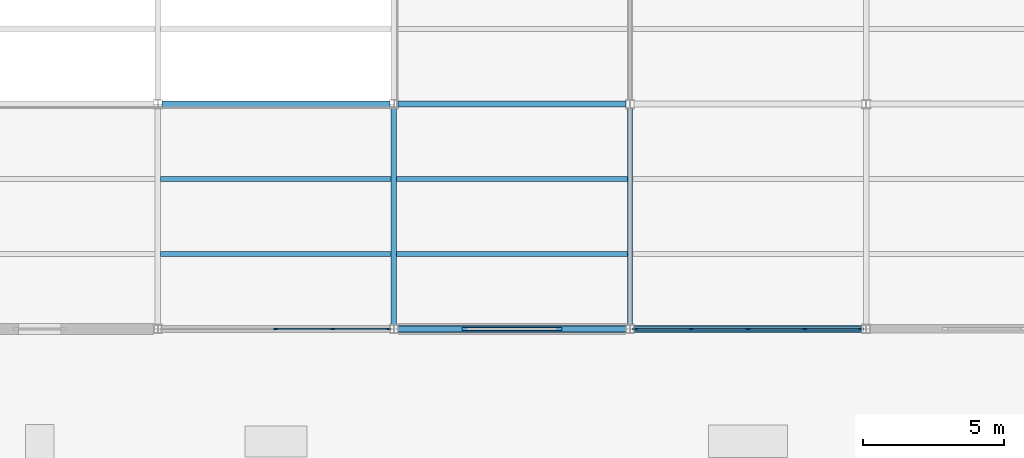
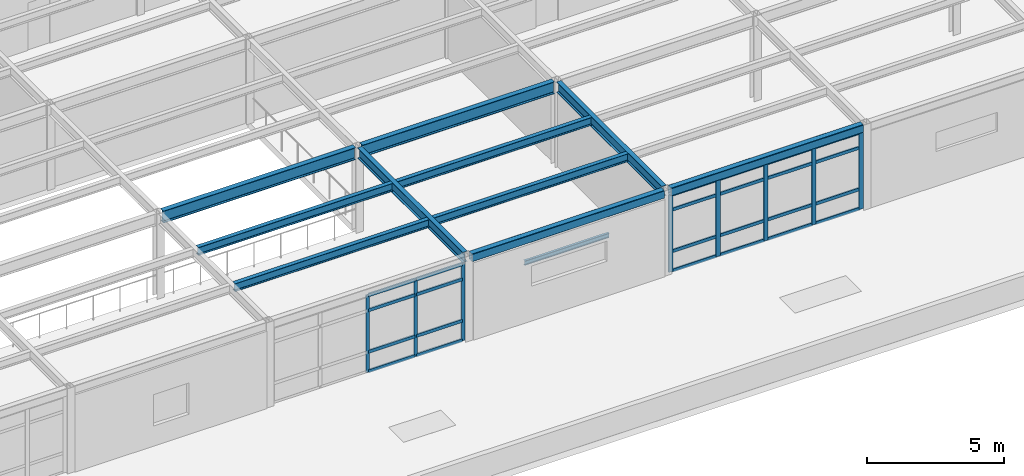
# One storey, part 32 of 138: 32 members, 11 beams, 2 elements without a shape of their own.
"""IFC4 building model written with IfcOpenShell, lengths in metres."""

from ifc_helpers import new_model, si_unit, direction, frame, origin, origin_2d, place, context, subcontext, project, spatial, rectangle, hollow_rectangle, i_section, extrude, material, layer, layer_set, material_profile, profile_set, type_object, element, aggregate, save


model = new_model("IFC4")

# Units and contexts
model_context = context("Model", 3, precision=1e-05, world=origin(), true_north=direction((0.0, 1.0)))
body_context = subcontext(model_context, "Body", "Model", "MODEL_VIEW")
ifc_project = project(units=[si_unit("LENGTHUNIT", "METRE"), si_unit("AREAUNIT", "SQUARE_METRE"), si_unit("VOLUMEUNIT", "CUBIC_METRE"), si_unit("PLANEANGLEUNIT", "RADIAN"), si_unit("MASSUNIT", "GRAM", prefix="KILO")], contexts=[model_context])

# Site, building, storey
site_placement = place(None, origin())
site = spatial("IfcSite", under=ifc_project, at=site_placement, CompositionType="ELEMENT")
building_placement = place(site_placement, origin())
building = spatial("IfcBuilding", under=site, at=building_placement, Name="Kranzveld Transit Interchange", CompositionType="ELEMENT")
storey_placement = place(building_placement, frame((0.0, 0.0, 5.43994140625)))
storey = spatial("IfcBuildingStorey", under=building, at=storey_placement, Name="L01", CompositionType="ELEMENT", Elevation=5.43994140625)

# Beams
ifc_material_1 = material(Name="Steel S355JR", Category="steel")
ifc_material_profile_1 = material_profile(ifc_material_1, i_section(OverallWidth=0.19189453125, OverallDepth=0.46337890625, WebThickness=0.010498046875, FlangeThickness=0.017578125, FilletRadius=0.01025390625, at=origin_2d()), Name="UB 457x191x89")
ifc_profile_set_1 = profile_set([ifc_material_profile_1], Name="Steel S355JR")
beam_type_1 = type_object("IfcBeamType", Name="Beam Steel UB 457x191x89 S355JR", PredefinedType="BEAM", material=ifc_profile_set_1)
for number, where, z_axis, x_axis, name in (
    (1, (100.800048828125, 8.150146484375, 3.568359375), (0.0, 1.0, 0.0), (-1.0, 0.0, 0.0), "L01 Girder 13/B-C"),
    (2, (109.199951171875, 8.150146484375, 3.568359375), (0.0, 1.0, 0.0), (-1.0, 0.0, 0.0), "L01 Girder 14/B-C"),
):
    element("IfcBeam", number, at=place(storey_placement, frame(where, z_axis=z_axis, x_axis=x_axis)), inside=storey, type_object=beam_type_1, Name=name, PredefinedType="BEAM", context=body_context, shape_type="SweptSolid", body=[
        extrude(i_section(OverallWidth=0.19189453125, OverallDepth=0.46337890625, WebThickness=0.010498046875, FlangeThickness=0.017578125, FilletRadius=0.01025390625, at=origin_2d()), origin(), (0.0, 0.0, 1.0), 7.69970703125),
    ])

# Curtain wall, members
ifc_material_2 = material(Name="Bronze-anodised thermally broken aluminium", Category="aluminium")
ifc_layer_1 = layer(ifc_material_2, 0.159912109375)
ifc_layer_set_1 = layer_set([ifc_layer_1], Name="Bronze-anodised thermally broken aluminium")
curtain_wall_type_1 = type_object("IfcCurtainWallType", Name="Bus Boarding Glazed Screen CW-3", PredefinedType="USERDEFINED", material=ifc_layer_set_1)
curtain_wall_1_placement = place(storey_placement, origin())
curtain_wall_1 = element("IfcCurtainWall", 3, at=curtain_wall_1_placement, inside=storey, type_object=curtain_wall_type_1, Name="L01 Curtain Wall 12/B-13/B", ObjectType="CURTAIN WALL", PredefinedType="USERDEFINED")
ifc_material_3 = material(Name="Bronze-anodised thermally broken aluminium", Category="aluminium")
ifc_material_profile_2 = material_profile(ifc_material_3, rectangle(XDim=0.06005859375, YDim=0.14990234375, at=origin_2d()), Name="ALU MULLION 60x150")
ifc_profile_set_2 = profile_set([ifc_material_profile_2], Name="Bronze-anodised thermally broken aluminium")
member_type_1 = type_object("IfcMemberType", Name="Curtain Wall Mullion 60x150 Alu", PredefinedType="MULLION", material=ifc_profile_set_2)
member_1_placement = place(storey_placement, frame((96.60009765625, 8.0, 0.0), z_axis=(0.0, 0.0, 1.0), x_axis=(0.0, 1.0, 0.0)))
member_1 = element("IfcMember", 4, at=member_1_placement, type_object=member_type_1, Name="CW-3 mullion 3", PredefinedType="MULLION", context=body_context, shape_type="SweptSolid", body=[
    extrude(rectangle(XDim=0.06005859375, YDim=0.14990234375, at=origin_2d()), origin(), (0.0, 0.0, 1.0), 3.449951171875),
])
member_2_placement = place(storey_placement, frame((98.622802734375, 8.0, 0.0), z_axis=(0.0, 0.0, 1.0), x_axis=(0.0, 1.0, 0.0)))
member_2 = element("IfcMember", 5, at=member_2_placement, type_object=member_type_1, Name="CW-3 mullion 4", PredefinedType="MULLION", context=body_context, shape_type="SweptSolid", body=[
    extrude(rectangle(XDim=0.06005859375, YDim=0.14990234375, at=origin_2d()), origin(), (0.0, 0.0, 1.0), 3.449951171875),
])
member_3_placement = place(storey_placement, frame((100.615478515625, 8.0, 0.0), z_axis=(0.0, 0.0, 1.0), x_axis=(0.0, 1.0, 0.0)))
member_3 = element("IfcMember", 6, at=member_3_placement, type_object=member_type_1, Name="CW-3 mullion 5", PredefinedType="MULLION", context=body_context, shape_type="SweptSolid", body=[
    extrude(rectangle(XDim=0.06005859375, YDim=0.14990234375, at=origin_2d()), origin(), (0.0, 0.0, 1.0), 3.449951171875),
])

ifc_material_4 = material(Name="Bronze-anodised thermally broken aluminium", Category="aluminium")
ifc_layer_2 = layer(ifc_material_4, 0.179931640625)
ifc_layer_set_2 = layer_set([ifc_layer_2], Name="Bronze-anodised thermally broken aluminium")
curtain_wall_type_2 = type_object("IfcCurtainWallType", Name="Concourse Unitised Curtain Wall CW-1", PredefinedType="USERDEFINED", material=ifc_layer_set_2)
curtain_wall_2_placement = place(storey_placement, origin())
curtain_wall_2 = element("IfcCurtainWall", 7, at=curtain_wall_2_placement, inside=storey, type_object=curtain_wall_type_2, Name="L01 Curtain Wall 14/B-15/B", ObjectType="CURTAIN WALL", PredefinedType="USERDEFINED")
ifc_material_5 = material(Name="Bronze-anodised thermally broken aluminium", Category="aluminium")
ifc_material_profile_3 = material_profile(ifc_material_5, rectangle(XDim=0.06494140625, YDim=0.179931640625, at=origin_2d()), Name="ALU MULLION 65x180")
ifc_profile_set_3 = profile_set([ifc_material_profile_3], Name="Bronze-anodised thermally broken aluminium")
member_type_2 = type_object("IfcMemberType", Name="Curtain Wall Mullion 65x180 Alu", PredefinedType="MULLION", material=ifc_profile_set_3)
member_4_placement = place(storey_placement, frame((109.38720703125, 8.0, 0.0), z_axis=(0.0, 0.0, 1.0), x_axis=(0.0, 1.0, 0.0)))
member_4 = element("IfcMember", 8, at=member_4_placement, type_object=member_type_2, Name="CW-1 mullion 1", PredefinedType="MULLION", context=body_context, shape_type="SweptSolid", body=[
    extrude(rectangle(XDim=0.06494140625, YDim=0.179931640625, at=origin_2d()), origin(), (0.0, 0.0, 1.0), 3.449951171875),
])
member_5_placement = place(storey_placement, frame((111.377197265625, 8.0, 0.0), z_axis=(0.0, 0.0, 1.0), x_axis=(0.0, 1.0, 0.0)))
member_5 = element("IfcMember", 9, at=member_5_placement, type_object=member_type_2, Name="CW-1 mullion 2", PredefinedType="MULLION", context=body_context, shape_type="SweptSolid", body=[
    extrude(rectangle(XDim=0.06494140625, YDim=0.179931640625, at=origin_2d()), origin(), (0.0, 0.0, 1.0), 3.449951171875),
])
member_6_placement = place(storey_placement, frame((113.39990234375, 8.0, 0.0), z_axis=(0.0, 0.0, 1.0), x_axis=(0.0, 1.0, 0.0)))
member_6 = element("IfcMember", 10, at=member_6_placement, type_object=member_type_2, Name="CW-1 mullion 3", PredefinedType="MULLION", context=body_context, shape_type="SweptSolid", body=[
    extrude(rectangle(XDim=0.06494140625, YDim=0.179931640625, at=origin_2d()), origin(), (0.0, 0.0, 1.0), 3.449951171875),
])
member_7_placement = place(storey_placement, frame((115.422607421875, 8.0, 0.0), z_axis=(0.0, 0.0, 1.0), x_axis=(0.0, 1.0, 0.0)))
member_7 = element("IfcMember", 11, at=member_7_placement, type_object=member_type_2, Name="CW-1 mullion 4", PredefinedType="MULLION", context=body_context, shape_type="SweptSolid", body=[
    extrude(rectangle(XDim=0.06494140625, YDim=0.179931640625, at=origin_2d()), origin(), (0.0, 0.0, 1.0), 3.449951171875),
])
member_8_placement = place(storey_placement, frame((117.412841796875, 8.0, 0.0), z_axis=(0.0, 0.0, 1.0), x_axis=(0.0, 1.0, 0.0)))
member_8 = element("IfcMember", 12, at=member_8_placement, type_object=member_type_2, Name="CW-1 mullion 5", PredefinedType="MULLION", context=body_context, shape_type="SweptSolid", body=[
    extrude(rectangle(XDim=0.06494140625, YDim=0.179931640625, at=origin_2d()), origin(), (0.0, 0.0, 1.0), 3.449951171875),
])

# Member
ifc_material_6 = material(Name="Bronze-anodised thermally broken aluminium", Category="aluminium")
ifc_material_profile_4 = material_profile(ifc_material_6, rectangle(XDim=0.06494140625, YDim=0.139892578125, at=origin_2d()), Name="ALU TRANSOM 65x140")
ifc_profile_set_4 = profile_set([ifc_material_profile_4], Name="Bronze-anodised thermally broken aluminium")
member_type_3 = type_object("IfcMemberType", Name="Curtain Wall Transom 65x140 Alu", PredefinedType="USERDEFINED", material=ifc_profile_set_4)
member_9_placement = place(storey_placement, frame((96.6298828125, 8.0, 0.032470703125), z_axis=(1.0, 0.0, 0.0), x_axis=(0.0, 1.0, 0.0)))
member_9 = element("IfcMember", 13, at=member_9_placement, type_object=member_type_3, Name="CW-3 transom 3.1", ObjectType="TRANSOM", PredefinedType="USERDEFINED", context=body_context, shape_type="SweptSolid", body=[
    extrude(rectangle(XDim=0.06494140625, YDim=0.139892578125, at=origin_2d()), origin(), (0.0, 0.0, 1.0), 1.962890625),
])

member_10_placement = place(storey_placement, frame((96.6298828125, 8.0, 0.900146484375), z_axis=(1.0, 0.0, 0.0), x_axis=(0.0, 1.0, 0.0)))
member_10 = element("IfcMember", 14, at=member_10_placement, type_object=member_type_3, Name="CW-3 transom 3.2", ObjectType="TRANSOM", PredefinedType="USERDEFINED", context=body_context, shape_type="SweptSolid", body=[
    extrude(rectangle(XDim=0.06494140625, YDim=0.139892578125, at=origin_2d()), origin(), (0.0, 0.0, 1.0), 1.962890625),
])

member_11_placement = place(storey_placement, frame((96.6298828125, 8.0, 2.75), z_axis=(1.0, 0.0, 0.0), x_axis=(0.0, 1.0, 0.0)))
member_11 = element("IfcMember", 15, at=member_11_placement, type_object=member_type_3, Name="CW-3 transom 3.3", ObjectType="TRANSOM", PredefinedType="USERDEFINED", context=body_context, shape_type="SweptSolid", body=[
    extrude(rectangle(XDim=0.06494140625, YDim=0.139892578125, at=origin_2d()), origin(), (0.0, 0.0, 1.0), 1.962890625),
])

member_12_placement = place(storey_placement, frame((96.6298828125, 8.0, 3.41748046875), z_axis=(1.0, 0.0, 0.0), x_axis=(0.0, 1.0, 0.0)))
member_12 = element("IfcMember", 16, at=member_12_placement, type_object=member_type_3, Name="CW-3 transom 3.4", ObjectType="TRANSOM", PredefinedType="USERDEFINED", context=body_context, shape_type="SweptSolid", body=[
    extrude(rectangle(XDim=0.06494140625, YDim=0.139892578125, at=origin_2d()), origin(), (0.0, 0.0, 1.0), 1.962890625),
])

member_13_placement = place(storey_placement, frame((98.652587890625, 8.0, 0.032470703125), z_axis=(1.0, 0.0, 0.0), x_axis=(0.0, 1.0, 0.0)))
member_13 = element("IfcMember", 17, at=member_13_placement, type_object=member_type_3, Name="CW-3 transom 4.1", ObjectType="TRANSOM", PredefinedType="USERDEFINED", context=body_context, shape_type="SweptSolid", body=[
    extrude(rectangle(XDim=0.06494140625, YDim=0.139892578125, at=origin_2d()), origin(), (0.0, 0.0, 1.0), 1.932861328125),
])

member_14_placement = place(storey_placement, frame((98.652587890625, 8.0, 0.900146484375), z_axis=(1.0, 0.0, 0.0), x_axis=(0.0, 1.0, 0.0)))
member_14 = element("IfcMember", 18, at=member_14_placement, type_object=member_type_3, Name="CW-3 transom 4.2", ObjectType="TRANSOM", PredefinedType="USERDEFINED", context=body_context, shape_type="SweptSolid", body=[
    extrude(rectangle(XDim=0.06494140625, YDim=0.139892578125, at=origin_2d()), origin(), (0.0, 0.0, 1.0), 1.932861328125),
])

member_15_placement = place(storey_placement, frame((98.652587890625, 8.0, 2.75), z_axis=(1.0, 0.0, 0.0), x_axis=(0.0, 1.0, 0.0)))
member_15 = element("IfcMember", 19, at=member_15_placement, type_object=member_type_3, Name="CW-3 transom 4.3", ObjectType="TRANSOM", PredefinedType="USERDEFINED", context=body_context, shape_type="SweptSolid", body=[
    extrude(rectangle(XDim=0.06494140625, YDim=0.139892578125, at=origin_2d()), origin(), (0.0, 0.0, 1.0), 1.932861328125),
])

member_16_placement = place(storey_placement, frame((98.652587890625, 8.0, 3.41748046875), z_axis=(1.0, 0.0, 0.0), x_axis=(0.0, 1.0, 0.0)))
member_16 = element("IfcMember", 20, at=member_16_placement, type_object=member_type_3, Name="CW-3 transom 4.4", ObjectType="TRANSOM", PredefinedType="USERDEFINED", context=body_context, shape_type="SweptSolid", body=[
    extrude(rectangle(XDim=0.06494140625, YDim=0.139892578125, at=origin_2d()), origin(), (0.0, 0.0, 1.0), 1.932861328125),
])

aggregate(curtain_wall_1, [member_1, member_2, member_3, member_9, member_10, member_11, member_12, member_13, member_14, member_15, member_16])

member_17_placement = place(storey_placement, frame((109.419677734375, 8.0, 0.032470703125), z_axis=(1.0, 0.0, 0.0), x_axis=(0.0, 1.0, 0.0)))
member_17 = element("IfcMember", 21, at=member_17_placement, type_object=member_type_3, Name="CW-1 transom 1.1", ObjectType="TRANSOM", PredefinedType="USERDEFINED", context=body_context, shape_type="SweptSolid", body=[
    extrude(rectangle(XDim=0.06494140625, YDim=0.139892578125, at=origin_2d()), origin(), (0.0, 0.0, 1.0), 1.925048828125),
])

member_18_placement = place(storey_placement, frame((109.419677734375, 8.0, 0.900146484375), z_axis=(1.0, 0.0, 0.0), x_axis=(0.0, 1.0, 0.0)))
member_18 = element("IfcMember", 22, at=member_18_placement, type_object=member_type_3, Name="CW-1 transom 1.2", ObjectType="TRANSOM", PredefinedType="USERDEFINED", context=body_context, shape_type="SweptSolid", body=[
    extrude(rectangle(XDim=0.06494140625, YDim=0.139892578125, at=origin_2d()), origin(), (0.0, 0.0, 1.0), 1.925048828125),
])

member_19_placement = place(storey_placement, frame((109.419677734375, 8.0, 2.75), z_axis=(1.0, 0.0, 0.0), x_axis=(0.0, 1.0, 0.0)))
member_19 = element("IfcMember", 23, at=member_19_placement, type_object=member_type_3, Name="CW-1 transom 1.3", ObjectType="TRANSOM", PredefinedType="USERDEFINED", context=body_context, shape_type="SweptSolid", body=[
    extrude(rectangle(XDim=0.06494140625, YDim=0.139892578125, at=origin_2d()), origin(), (0.0, 0.0, 1.0), 1.925048828125),
])

member_20_placement = place(storey_placement, frame((109.419677734375, 8.0, 3.41748046875), z_axis=(1.0, 0.0, 0.0), x_axis=(0.0, 1.0, 0.0)))
member_20 = element("IfcMember", 24, at=member_20_placement, type_object=member_type_3, Name="CW-1 transom 1.4", ObjectType="TRANSOM", PredefinedType="USERDEFINED", context=body_context, shape_type="SweptSolid", body=[
    extrude(rectangle(XDim=0.06494140625, YDim=0.139892578125, at=origin_2d()), origin(), (0.0, 0.0, 1.0), 1.925048828125),
])

member_21_placement = place(storey_placement, frame((111.409912109375, 8.0, 0.032470703125), z_axis=(1.0, 0.0, 0.0), x_axis=(0.0, 1.0, 0.0)))
member_21 = element("IfcMember", 25, at=member_21_placement, type_object=member_type_3, Name="CW-1 transom 2.1", ObjectType="TRANSOM", PredefinedType="USERDEFINED", context=body_context, shape_type="SweptSolid", body=[
    extrude(rectangle(XDim=0.06494140625, YDim=0.139892578125, at=origin_2d()), origin(), (0.0, 0.0, 1.0), 1.95751953125),
])

member_22_placement = place(storey_placement, frame((111.409912109375, 8.0, 0.900146484375), z_axis=(1.0, 0.0, 0.0), x_axis=(0.0, 1.0, 0.0)))
member_22 = element("IfcMember", 26, at=member_22_placement, type_object=member_type_3, Name="CW-1 transom 2.2", ObjectType="TRANSOM", PredefinedType="USERDEFINED", context=body_context, shape_type="SweptSolid", body=[
    extrude(rectangle(XDim=0.06494140625, YDim=0.139892578125, at=origin_2d()), origin(), (0.0, 0.0, 1.0), 1.95751953125),
])

member_23_placement = place(storey_placement, frame((111.409912109375, 8.0, 2.75), z_axis=(1.0, 0.0, 0.0), x_axis=(0.0, 1.0, 0.0)))
member_23 = element("IfcMember", 27, at=member_23_placement, type_object=member_type_3, Name="CW-1 transom 2.3", ObjectType="TRANSOM", PredefinedType="USERDEFINED", context=body_context, shape_type="SweptSolid", body=[
    extrude(rectangle(XDim=0.06494140625, YDim=0.139892578125, at=origin_2d()), origin(), (0.0, 0.0, 1.0), 1.95751953125),
])

member_24_placement = place(storey_placement, frame((111.409912109375, 8.0, 3.41748046875), z_axis=(1.0, 0.0, 0.0), x_axis=(0.0, 1.0, 0.0)))
member_24 = element("IfcMember", 28, at=member_24_placement, type_object=member_type_3, Name="CW-1 transom 2.4", ObjectType="TRANSOM", PredefinedType="USERDEFINED", context=body_context, shape_type="SweptSolid", body=[
    extrude(rectangle(XDim=0.06494140625, YDim=0.139892578125, at=origin_2d()), origin(), (0.0, 0.0, 1.0), 1.95751953125),
])

member_25_placement = place(storey_placement, frame((113.4326171875, 8.0, 0.032470703125), z_axis=(1.0, 0.0, 0.0), x_axis=(0.0, 1.0, 0.0)))
member_25 = element("IfcMember", 29, at=member_25_placement, type_object=member_type_3, Name="CW-1 transom 3.1", ObjectType="TRANSOM", PredefinedType="USERDEFINED", context=body_context, shape_type="SweptSolid", body=[
    extrude(rectangle(XDim=0.06494140625, YDim=0.139892578125, at=origin_2d()), origin(), (0.0, 0.0, 1.0), 1.95751953125),
])

member_26_placement = place(storey_placement, frame((113.4326171875, 8.0, 0.900146484375), z_axis=(1.0, 0.0, 0.0), x_axis=(0.0, 1.0, 0.0)))
member_26 = element("IfcMember", 30, at=member_26_placement, type_object=member_type_3, Name="CW-1 transom 3.2", ObjectType="TRANSOM", PredefinedType="USERDEFINED", context=body_context, shape_type="SweptSolid", body=[
    extrude(rectangle(XDim=0.06494140625, YDim=0.139892578125, at=origin_2d()), origin(), (0.0, 0.0, 1.0), 1.95751953125),
])

member_27_placement = place(storey_placement, frame((113.4326171875, 8.0, 2.75), z_axis=(1.0, 0.0, 0.0), x_axis=(0.0, 1.0, 0.0)))
member_27 = element("IfcMember", 31, at=member_27_placement, type_object=member_type_3, Name="CW-1 transom 3.3", ObjectType="TRANSOM", PredefinedType="USERDEFINED", context=body_context, shape_type="SweptSolid", body=[
    extrude(rectangle(XDim=0.06494140625, YDim=0.139892578125, at=origin_2d()), origin(), (0.0, 0.0, 1.0), 1.95751953125),
])

member_28_placement = place(storey_placement, frame((113.4326171875, 8.0, 3.41748046875), z_axis=(1.0, 0.0, 0.0), x_axis=(0.0, 1.0, 0.0)))
member_28 = element("IfcMember", 32, at=member_28_placement, type_object=member_type_3, Name="CW-1 transom 3.4", ObjectType="TRANSOM", PredefinedType="USERDEFINED", context=body_context, shape_type="SweptSolid", body=[
    extrude(rectangle(XDim=0.06494140625, YDim=0.139892578125, at=origin_2d()), origin(), (0.0, 0.0, 1.0), 1.95751953125),
])

member_29_placement = place(storey_placement, frame((115.455078125, 8.0, 0.032470703125), z_axis=(1.0, 0.0, 0.0), x_axis=(0.0, 1.0, 0.0)))
member_29 = element("IfcMember", 33, at=member_29_placement, type_object=member_type_3, Name="CW-1 transom 4.1", ObjectType="TRANSOM", PredefinedType="USERDEFINED", context=body_context, shape_type="SweptSolid", body=[
    extrude(rectangle(XDim=0.06494140625, YDim=0.139892578125, at=origin_2d()), origin(), (0.0, 0.0, 1.0), 1.92529296875),
])

member_30_placement = place(storey_placement, frame((115.455078125, 8.0, 0.900146484375), z_axis=(1.0, 0.0, 0.0), x_axis=(0.0, 1.0, 0.0)))
member_30 = element("IfcMember", 34, at=member_30_placement, type_object=member_type_3, Name="CW-1 transom 4.2", ObjectType="TRANSOM", PredefinedType="USERDEFINED", context=body_context, shape_type="SweptSolid", body=[
    extrude(rectangle(XDim=0.06494140625, YDim=0.139892578125, at=origin_2d()), origin(), (0.0, 0.0, 1.0), 1.92529296875),
])

member_31_placement = place(storey_placement, frame((115.455078125, 8.0, 2.75), z_axis=(1.0, 0.0, 0.0), x_axis=(0.0, 1.0, 0.0)))
member_31 = element("IfcMember", 35, at=member_31_placement, type_object=member_type_3, Name="CW-1 transom 4.3", ObjectType="TRANSOM", PredefinedType="USERDEFINED", context=body_context, shape_type="SweptSolid", body=[
    extrude(rectangle(XDim=0.06494140625, YDim=0.139892578125, at=origin_2d()), origin(), (0.0, 0.0, 1.0), 1.92529296875),
])

member_32_placement = place(storey_placement, frame((115.455078125, 8.0, 3.41748046875), z_axis=(1.0, 0.0, 0.0), x_axis=(0.0, 1.0, 0.0)))
member_32 = element("IfcMember", 36, at=member_32_placement, type_object=member_type_3, Name="CW-1 transom 4.4", ObjectType="TRANSOM", PredefinedType="USERDEFINED", context=body_context, shape_type="SweptSolid", body=[
    extrude(rectangle(XDim=0.06494140625, YDim=0.139892578125, at=origin_2d()), origin(), (0.0, 0.0, 1.0), 1.92529296875),
])

aggregate(curtain_wall_2, [member_4, member_5, member_6, member_7, member_8, member_17, member_18, member_19, member_20, member_21, member_22, member_23, member_24, member_25, member_26, member_27, member_28, member_29, member_30, member_31, member_32])

# Beams
ifc_material_7 = material(Name="Steel S355JR", Category="steel")
ifc_material_profile_5 = material_profile(ifc_material_7, hollow_rectangle(XDim=0.25, YDim=0.35009765625, WallThickness=0.012451171875, InnerFilletRadius=0.018798828125, OuterFilletRadius=0.03125, at=origin_2d()), Name="RHS 350x250x12.5")
ifc_profile_set_5 = profile_set([ifc_material_profile_5], Name="Steel S355JR")
beam_type_2 = type_object("IfcBeamType", Name="Edge Spandrel RHS 350x250x12.5 S355JR", PredefinedType="SPANDREL", material=ifc_profile_set_5)
for number, where, z_axis, x_axis, name in (
    (37, (100.944580078125, 8.0, 3.625), (1.0, 0.0, 0.0), (0.0, 1.0, 0.0), "L01 Girder 13-14/B"),
    (38, (109.344482421875, 8.0, 3.625), (1.0, 0.0, 0.0), (0.0, 1.0, 0.0), "L01 Girder 14-15/B"),
):
    element("IfcBeam", number, at=place(storey_placement, frame(where, z_axis=z_axis, x_axis=x_axis)), inside=storey, type_object=beam_type_2, Name=name, PredefinedType="SPANDREL", context=body_context, shape_type="SweptSolid", body=[
        extrude(hollow_rectangle(XDim=0.25, YDim=0.35009765625, WallThickness=0.012451171875, InnerFilletRadius=0.018798828125, OuterFilletRadius=0.03125, at=origin_2d()), origin(), (0.0, 0.0, 1.0), 8.11083984375),
    ])
ifc_material_8 = material(Name="Steel S355JR", Category="steel")
ifc_material_profile_6 = material_profile(ifc_material_8, i_section(OverallWidth=0.172119140625, OverallDepth=0.35791015625, WebThickness=0.008056640625, FlangeThickness=0.012939453125, FilletRadius=0.01025390625, at=origin_2d()), Name="UB 356x171x57")
ifc_profile_set_6 = profile_set([ifc_material_profile_6], Name="Steel S355JR")
beam_type_3 = type_object("IfcBeamType", Name="Floor Joist UB 356x171x57 S355JR", PredefinedType="JOIST", material=ifc_profile_set_6)
for number, where, z_axis, x_axis, name in (
    (39, (92.498046875, 10.666748046875, 3.62109375), (1.0, 0.0, 0.0), (0.0, 1.0, 0.0), "L01 Secondary Joist 12-13/B.1"),
    (40, (92.498046875, 13.333251953125, 3.62109375), (1.0, 0.0, 0.0), (0.0, 1.0, 0.0), "L01 Secondary Joist 12-13/B.2"),
    (41, (100.89794921875, 10.666748046875, 3.62109375), (1.0, 0.0, 0.0), (0.0, 1.0, 0.0), "L01 Secondary Joist 13-14/B.1"),
    (42, (100.89794921875, 13.333251953125, 3.62109375), (1.0, 0.0, 0.0), (0.0, 1.0, 0.0), "L01 Secondary Joist 13-14/B.2"),
):
    element("IfcBeam", number, at=place(storey_placement, frame(where, z_axis=z_axis, x_axis=x_axis)), inside=storey, type_object=beam_type_3, Name=name, PredefinedType="JOIST", context=body_context, shape_type="SweptSolid", body=[
        extrude(i_section(OverallWidth=0.172119140625, OverallDepth=0.35791015625, WebThickness=0.008056640625, FlangeThickness=0.012939453125, FilletRadius=0.01025390625, at=origin_2d()), origin(), (0.0, 0.0, 1.0), 8.2041015625),
    ])
ifc_material_9 = material(Name="Steel S355JR", Category="steel")
ifc_material_profile_7 = material_profile(ifc_material_9, i_section(OverallWidth=0.210693359375, OverallDepth=0.53955078125, WebThickness=0.01171875, FlangeThickness=0.018798828125, FilletRadius=0.0126953125, at=origin_2d()), Name="UB 533x210x109")
ifc_profile_set_7 = profile_set([ifc_material_profile_7], Name="Steel S355JR")
beam_type_4 = type_object("IfcBeamType", Name="Girder Steel UB 533x210x109 S355JR", PredefinedType="BEAM", material=ifc_profile_set_7)
for number, where, z_axis, x_axis, name in (
    (43, (92.544677734375, 16.0, 3.5302734375), (1.0, 0.0, 0.0), (0.0, 1.0, 0.0), "L01 Girder 12-13/C"),
    (44, (100.944580078125, 16.0, 3.5302734375), (1.0, 0.0, 0.0), (0.0, 1.0, 0.0), "L01 Girder 13-14/C"),
):
    element("IfcBeam", number, at=place(storey_placement, frame(where, z_axis=z_axis, x_axis=x_axis)), inside=storey, type_object=beam_type_4, Name=name, PredefinedType="BEAM", context=body_context, shape_type="SweptSolid", body=[
        extrude(i_section(OverallWidth=0.210693359375, OverallDepth=0.53955078125, WebThickness=0.01171875, FlangeThickness=0.018798828125, FilletRadius=0.0126953125, at=origin_2d()), origin(), (0.0, 0.0, 1.0), 8.11083984375),
    ])
ifc_material_10 = material(Name="Steel S355JR", Category="steel")
ifc_material_profile_8 = material_profile(ifc_material_10, i_section(OverallWidth=0.10009765625, OverallDepth=0.199951171875, WebThickness=0.005615234375, FlangeThickness=0.008544921875, FilletRadius=0.011962890625, at=origin_2d()), Name="IPE 200")
ifc_profile_set_8 = profile_set([ifc_material_profile_8], Name="Steel S355JR")
beam_type_5 = type_object("IfcBeamType", Name="Opening Lintel IPE 200 S355JR", PredefinedType="LINTEL", material=ifc_profile_set_8)
beam_placement = place(storey_placement, frame((103.219970703125, 8.0, 2.55517578125), z_axis=(1.0, 0.0, 0.0), x_axis=(0.0, 1.0, 0.0)))
element("IfcBeam", 45, at=beam_placement, inside=storey, type_object=beam_type_5, Name="L01 Window Lintel 114", PredefinedType="LINTEL", context=body_context, shape_type="SweptSolid", body=[
    extrude(i_section(OverallWidth=0.10009765625, OverallDepth=0.199951171875, WebThickness=0.005615234375, FlangeThickness=0.008544921875, FilletRadius=0.011962890625, at=origin_2d()), origin(), (0.0, 0.0, 1.0), 3.56005859375),
])

save(model, "model.ifc")
